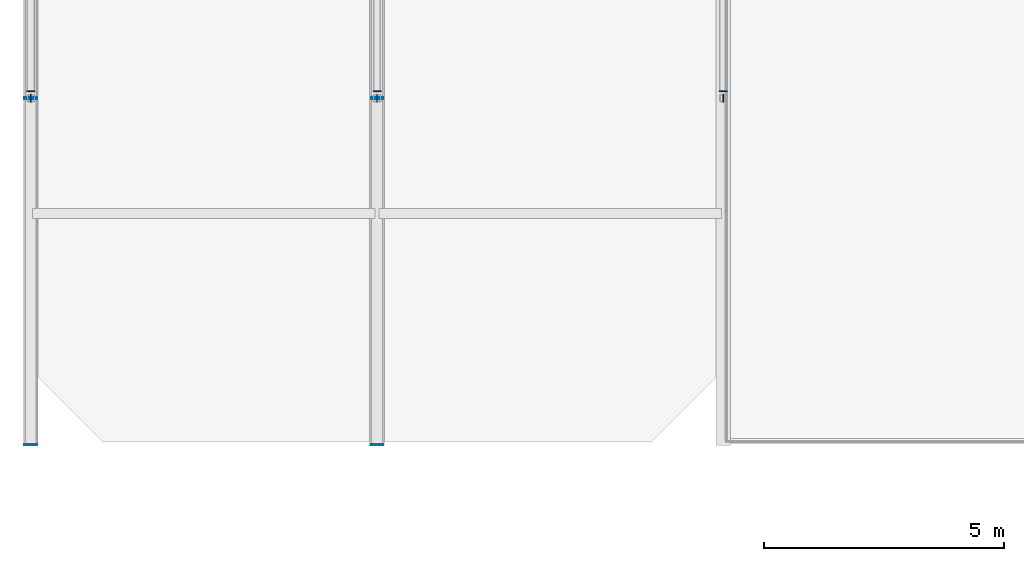
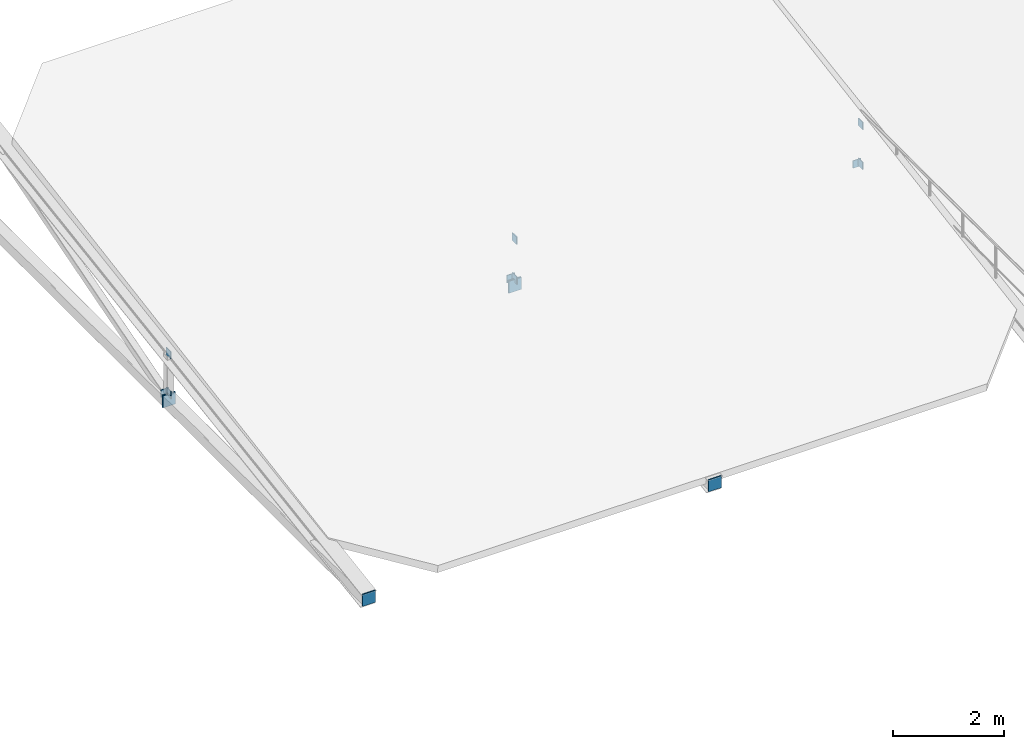
# One storey, part 95 of 136: 15 plates.
"""IFC4 building model written with IfcOpenShell, lengths in metres."""

import ifcopenshell
import ifcopenshell.guid

model = None  # the IFC model being written
_history = None  # IfcOwnerHistory: only IFC2X3 demands one
_inside = {}  # id of a spatial element -> (the spatial element, [elements in it])
_under = {}  # id of a project, library or spatial element -> (it, [spatial elements below it])
_declared = {}  # id of a project -> (the project, [libraries it declares])
_typed = {}  # id of a type object -> (the type object, [elements of that type])
_made_of = {}  # id of a material, layer set ... -> (it, [elements and type objects made of it])


def new_model(schema):
    """Start an empty IFC model of exactly this schema.

    Asked for "IFC4X3", IfcOpenShell would pick the latest addendum, in which some entities
    have other attributes; the version numbers below select the first issue.
    IFC2X3 requires an IfcOwnerHistory on every rooted entity: one is made here for all.
    """
    global model, _history
    if schema == "IFC4X3":
        model = ifcopenshell.file(schema_version=(4, 3, 0, 0))
    else:
        model = ifcopenshell.file(schema=schema)
    _inside.clear()
    _under.clear()
    _declared.clear()
    _typed.clear()
    _made_of.clear()
    _history = None
    if model.schema == "IFC2X3":
        org = make("IfcOrganization", Name="unknown")
        user = make(
            "IfcPersonAndOrganization",
            ThePerson=make("IfcPerson", FamilyName="unknown"),
            TheOrganization=org,
        )
        app = make(
            "IfcApplication",
            ApplicationDeveloper=org,
            Version="unknown",
            ApplicationFullName="unknown",
            ApplicationIdentifier="unknown",
        )
        _history = make(
            "IfcOwnerHistory",
            OwningUser=user,
            OwningApplication=app,
            ChangeAction="ADDED",
            CreationDate=0,
        )
    return model


def make(cls, **values):
    """One entity of the class cls with the attributes given. An attribute that is None is left unset."""
    return model.create_entity(
        cls, **{name: value for name, value in values.items() if value is not None}
    )


def rooted(cls, **values):
    """An entity with a GlobalId (a new one), such as an element, a storey or a relation."""
    return make(cls, GlobalId=ifcopenshell.guid.new(), OwnerHistory=_history, **values)


def si_unit(unit_type, name, prefix=None):
    """IfcSIUnit, for example si_unit("LENGTHUNIT", "METRE", prefix="MILLI")."""
    return make("IfcSIUnit", UnitType=unit_type, Prefix=prefix, Name=name)


def assignment(units):
    """IfcUnitAssignment: the units of a project."""
    return None if units is None else make("IfcUnitAssignment", Units=units)


def point(xyz):
    """IfcCartesianPoint."""
    return None if xyz is None else make("IfcCartesianPoint", Coordinates=xyz)


def direction(xyz):
    """IfcDirection."""
    return None if xyz is None else make("IfcDirection", DirectionRatios=xyz)


def frame(location, z_axis=None, x_axis=None):
    """IfcAxis2Placement3D, a coordinate frame: its origin and axes. An axis left out is left unset."""
    return make(
        "IfcAxis2Placement3D",
        Location=point(location),
        Axis=direction(z_axis),
        RefDirection=direction(x_axis),
    )


def frame_2d(location, x_axis=None):
    """IfcAxis2Placement2D, a coordinate frame in the plane: its origin and x axis."""
    return make(
        "IfcAxis2Placement2D", Location=point(location), RefDirection=direction(x_axis)
    )


def origin():
    """The frame at (0, 0, 0) with its axes left unset."""
    return frame((0.0, 0.0, 0.0))


def origin_2d():
    """The frame at (0, 0) in the plane with its x axis left unset."""
    return frame_2d((0.0, 0.0))


def place(relative_to, where):
    """IfcLocalPlacement: puts the frame where relative to a parent placement (None: the world)."""
    return make(
        "IfcLocalPlacement", PlacementRelTo=relative_to, RelativePlacement=where
    )


def context(
    kind, dimensions, precision=None, world=None, true_north=None, identifier=None
):
    """IfcGeometricRepresentationContext, for example the 3D "Model" context."""
    return make(
        "IfcGeometricRepresentationContext",
        ContextIdentifier=identifier,
        ContextType=kind,
        CoordinateSpaceDimension=dimensions,
        Precision=precision,
        WorldCoordinateSystem=world,
        TrueNorth=true_north,
    )


def subcontext(parent, identifier, kind, view, scale=None):
    """IfcGeometricRepresentationSubContext, for example "Body" below "Model"."""
    return make(
        "IfcGeometricRepresentationSubContext",
        ContextIdentifier=identifier,
        ContextType=kind,
        ParentContext=parent,
        TargetScale=scale,
        TargetView=view,
    )


def project(units=None, contexts=None):
    """IfcProject with its units and contexts."""
    return rooted(
        "IfcProject",
        Name="project",
        RepresentationContexts=contexts,
        UnitsInContext=assignment(units),
    )


def spatial(cls, under=None, at=None, **own):
    """A site, building, storey or space (cls), placed at a placement, below another one or the project."""
    s = rooted(cls, ObjectPlacement=at, **own)
    if under is not None:
        _under.setdefault(under.id(), (under, []))[1].append(s)
    return s


def profile(cls, at=None, kind="AREA", **sizes):
    """A parametric profile (cls). Its sizes go by their IFC names, for example OverallWidth=200.0."""
    return make(cls, ProfileType=kind, Position=at, **sizes)


def rectangle(**sizes):
    """IfcRectangleProfileDef."""
    return profile("IfcRectangleProfileDef", **sizes)


def extrude(swept, where, along, depth):
    """IfcExtrudedAreaSolid: the profile swept, set in the frame where, extruded along a direction by depth."""
    return make(
        "IfcExtrudedAreaSolid",
        SweptArea=swept,
        Position=where,
        ExtrudedDirection=direction(along),
        Depth=depth,
    )


def shape(context_of_items, identifier, shape_type, items):
    """IfcShapeRepresentation: the items that make up one representation, for example the "Body"."""
    return make(
        "IfcShapeRepresentation",
        ContextOfItems=context_of_items,
        RepresentationIdentifier=identifier,
        RepresentationType=shape_type,
        Items=items,
    )


def material(Name=None, Category=None):
    """IfcMaterial."""
    return make("IfcMaterial", Name=Name, Category=Category)


def layer(
    of_material, thickness, ventilated=None, Name=None, Category=None, Priority=None
):
    """IfcMaterialLayer: one layer of a wall or slab, of a material (None: an air gap)."""
    return make(
        "IfcMaterialLayer",
        Material=of_material,
        LayerThickness=thickness,
        IsVentilated=ventilated,
        Name=Name,
        Category=Category,
        Priority=Priority,
    )


def layer_set(layers, Name=None):
    """IfcMaterialLayerSet."""
    return make("IfcMaterialLayerSet", MaterialLayers=layers, LayerSetName=Name)


def made_of(thing, what):
    """Note that an element or type object is made of a material, layer set ...; save() writes the relation."""
    if what is not None:
        _made_of.setdefault(what.id(), (what, []))[1].append(thing)
    return thing


def type_object(cls, material=None, **own):
    """A type object (cls), such as IfcWallType, which elements share."""
    return made_of(rooted(cls, **own), material)


def element(
    cls,
    number,
    at=None,
    inside=None,
    cuts=None,
    type_object=None,
    material=None,
    context=None,
    identifier="Body",
    shape_type=None,
    held_by="IfcProductDefinitionShape",
    body=None,
    shapes=None,
    **own,
):
    """One element of the class cls, such as IfcWall. Its Tag is "e" and its number.

    at: its placement. inside: the storey or other place that contains it. cuts: it is an
    opening in that element (IfcRelVoidsElement). A single representation is given by context,
    identifier, shape_type and body (its items); several are given by shapes. held_by: the class
    of the entity that holds the representations. save() writes the other relations.
    """
    e = rooted(cls, Tag="e%d" % number, ObjectPlacement=at, **own)
    if body is not None:
        shapes = [shape(context, identifier, shape_type, body)]
    if shapes is not None:
        e.Representation = make(held_by, Representations=shapes)
    if inside is not None:
        _inside.setdefault(inside.id(), (inside, []))[1].append(e)
    if cuts is not None:
        rooted(
            "IfcRelVoidsElement", RelatingBuildingElement=cuts, RelatedOpeningElement=e
        )
    if type_object is not None:
        _typed.setdefault(type_object.id(), (type_object, []))[1].append(e)
    return made_of(e, material)


def aggregate(whole, parts):
    """IfcRelAggregates: a whole, such as a stair, and the parts it consists of."""
    return rooted("IfcRelAggregates", RelatingObject=whole, RelatedObjects=parts)


def save(model, path):
    """Write the relations noted so far, then the file.

    IfcRelAggregates (storeys below a building ...), IfcRelContainedInSpatialStructure (elements
    in a storey), IfcRelDefinesByType, IfcRelAssociatesMaterial and IfcRelDeclares: one each for
    every whole, place, type object, material and project.
    """
    for whole, parts in _under.values():
        aggregate(whole, parts)
    for where, things in _inside.values():
        rooted(
            "IfcRelContainedInSpatialStructure",
            RelatedElements=things,
            RelatingStructure=where,
        )
    for kind, things in _typed.values():
        rooted("IfcRelDefinesByType", RelatedObjects=things, RelatingType=kind)
    for what, things in _made_of.values():
        rooted("IfcRelAssociatesMaterial", RelatedObjects=things, RelatingMaterial=what)
    for by, libraries in _declared.values():
        rooted("IfcRelDeclares", RelatingContext=by, RelatedDefinitions=libraries)
    model.write(path)


model = new_model("IFC4")

# Units and contexts
model_context = context("Model", 3, precision=1e-05, world=origin(), true_north=direction((0.0, 1.0)))
body_context = subcontext(model_context, "Body", "Model", "MODEL_VIEW")
ifc_project = project(units=[si_unit("LENGTHUNIT", "METRE"), si_unit("AREAUNIT", "SQUARE_METRE"), si_unit("VOLUMEUNIT", "CUBIC_METRE"), si_unit("PLANEANGLEUNIT", "RADIAN"), si_unit("MASSUNIT", "GRAM", prefix="KILO")], contexts=[model_context])

# Site, building, storey
site_placement = place(None, origin())
site = spatial("IfcSite", under=ifc_project, at=site_placement, CompositionType="ELEMENT")
building_placement = place(site_placement, origin())
building = spatial("IfcBuilding", under=site, at=building_placement, Name="Koriwan Promenade Central Fire Station", CompositionType="ELEMENT")
storey_placement = place(building_placement, frame((0.0, 0.0, 5.39990234375)))
storey = spatial("IfcBuildingStorey", under=building, at=storey_placement, Name="L01", CompositionType="ELEMENT", Elevation=5.39990234375)

# Plates
ifc_material = material(Name="Steel ASTM A572 Grade 50", Category="steel")
ifc_layer_1 = layer(ifc_material, 0.01611328125, Name="Steel ASTM A572 Grade 50")
ifc_layer_set_1 = layer_set([ifc_layer_1], Name="Steel ASTM A572 Grade 50")
plate_type_1 = type_object("IfcPlateType", Name="EndCap_HSS150", PredefinedType="SHEET", material=ifc_layer_set_1)
for number, where, z_axis, x_axis, name in (
    (1, (0.0, 50.39990234375, -0.09033203125), (0.0, 0.0, 1.0), (1.0, 0.0, 0.0), "V4 west pavilion truss 1 mid vertical end cap 1"),
    (2, (0.0, 50.39990234375, 0.78564453125), (0.0, 0.0, 1.0), (1.0, 0.0, 0.0), "V4 west pavilion truss 1 mid vertical end cap 2"),
    (3, (0.0, 50.542236328125, -0.164794921875), (0.0, 0.0, 1.0), (0.0, 1.0, 0.0), "V4 west pavilion truss 1 web diagonal end cap 1"),
    (4, (7.199951171875, 50.39990234375, -0.09033203125), (0.0, 0.0, 1.0), (1.0, 0.0, 0.0), "V4 west pavilion truss 2 mid vertical end cap 1"),
    (5, (7.199951171875, 50.39990234375, 0.78564453125), (0.0, 0.0, 1.0), (1.0, 0.0, 0.0), "V4 west pavilion truss 2 mid vertical end cap 2"),
    (6, (7.199951171875, 50.542236328125, -0.164794921875), (0.0, 0.0, 1.0), (0.0, 1.0, 0.0), "V4 west pavilion truss 2 web diagonal end cap 1"),
    (7, (14.39990234375, 50.39990234375, -0.09033203125), (0.0, 0.0, 1.0), (1.0, 0.0, 0.0), "V4 west pavilion truss 3 mid vertical end cap 1"),
    (8, (14.39990234375, 50.39990234375, 0.78564453125), (0.0, 0.0, 1.0), (1.0, 0.0, 0.0), "V4 west pavilion truss 3 mid vertical end cap 2"),
    (9, (14.39990234375, 50.542236328125, -0.164794921875), (0.0, 0.0, 1.0), (0.0, 1.0, 0.0), "V4 west pavilion truss 3 web diagonal end cap 1"),
):
    element("IfcPlate", number, at=place(storey_placement, frame(where, z_axis=z_axis, x_axis=x_axis)), inside=storey, type_object=plate_type_1, Name=name, PredefinedType="SHEET", context=body_context, shape_type="SweptSolid", body=[
        extrude(rectangle(XDim=0.01611328125, YDim=0.1650390625, at=origin_2d()), origin(), (0.0, 0.0, 1.0), 0.1650390625),
    ])
ifc_layer_2 = layer(ifc_material, 0.02001953125, Name="Steel ASTM A572 Grade 50")
ifc_layer_set_2 = layer_set([ifc_layer_2], Name="Steel ASTM A572 Grade 50")
plate_type_2 = type_object("IfcPlateType", Name="EndCap_HSS250", PredefinedType="SHEET", material=ifc_layer_set_2)
for number, where, z_axis, x_axis, name in (
    (10, (0.0, 43.18994140625, -0.2822265625), (0.0, 0.0, 1.0), (0.0, 1.0, 0.0), "V4 west pavilion truss 1 south bottom chord end cap 1"),
    (11, (0.0, 50.409912109375, -0.2822265625), (0.0, 0.0, 1.0), (0.0, 1.0, 0.0), "V4 west pavilion truss 1 south bottom chord end cap 2"),
    (12, (0.0, 50.389892578125, -0.2822265625), (0.0, 0.0, 1.0), (0.0, 1.0, 0.0), "V4 west pavilion truss 1 north bottom chord end cap 1"),
    (13, (7.199951171875, 43.18994140625, -0.2822265625), (0.0, 0.0, 1.0), (0.0, 1.0, 0.0), "V4 west pavilion truss 2 south bottom chord end cap 1"),
    (14, (7.199951171875, 50.409912109375, -0.2822265625), (0.0, 0.0, 1.0), (0.0, 1.0, 0.0), "V4 west pavilion truss 2 south bottom chord end cap 2"),
    (15, (7.199951171875, 50.389892578125, -0.2822265625), (0.0, 0.0, 1.0), (0.0, 1.0, 0.0), "V4 west pavilion truss 2 north bottom chord end cap 1"),
):
    element("IfcPlate", number, at=place(storey_placement, frame(where, z_axis=z_axis, x_axis=x_axis)), inside=storey, type_object=plate_type_2, Name=name, PredefinedType="SHEET", context=body_context, shape_type="SweptSolid", body=[
        extrude(rectangle(XDim=0.02001953125, YDim=0.264892578125, at=origin_2d()), origin(), (0.0, 0.0, 1.0), 0.264892578125),
    ])

save(model, "model.ifc")
